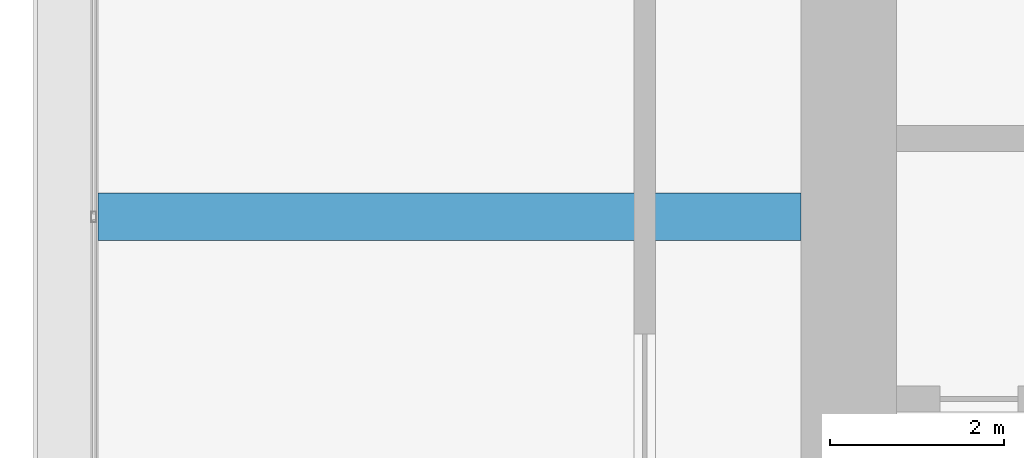
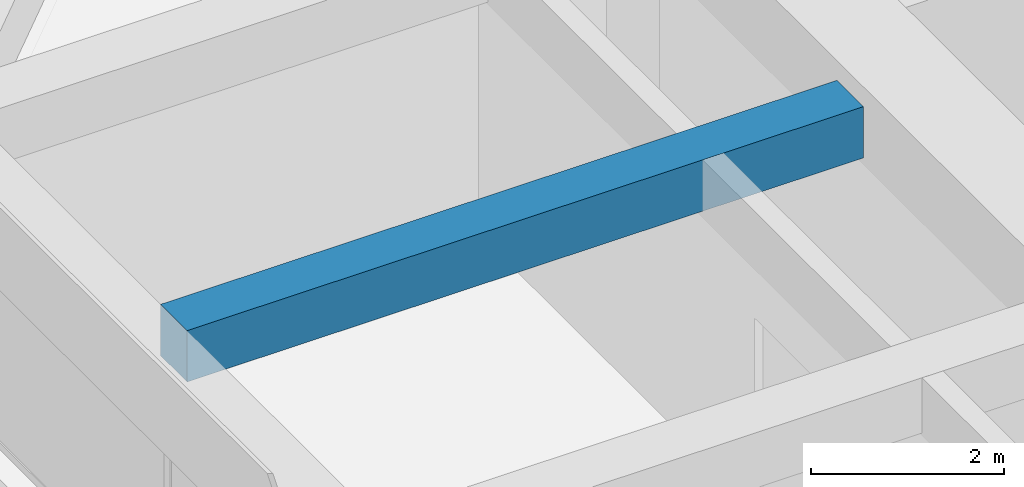
# One storey, part 17 of 44: 1 beam.
"""IFC4 building model written with IfcOpenShell, lengths in metres."""

from ifc_helpers import new_model, si_unit, direction, frame, origin, origin_2d, place, context, subcontext, project, spatial, rectangle, extrude, material, material_profile, profile_set, type_object, element, save


model = new_model("IFC4")

# Units and contexts
model_context = context("Model", 3, precision=1e-05, world=origin(), true_north=direction((0.0, 1.0)))
body_context = subcontext(model_context, "Body", "Model", "MODEL_VIEW")
ifc_project = project(units=[si_unit("LENGTHUNIT", "METRE"), si_unit("AREAUNIT", "SQUARE_METRE"), si_unit("VOLUMEUNIT", "CUBIC_METRE"), si_unit("PLANEANGLEUNIT", "RADIAN"), si_unit("MASSUNIT", "GRAM", prefix="KILO")], contexts=[model_context])

# Site, building, storey
site_placement = place(None, origin())
site = spatial("IfcSite", under=ifc_project, at=site_placement, CompositionType="ELEMENT")
building_placement = place(site_placement, origin())
building = spatial("IfcBuilding", under=site, at=building_placement, Name="Zorevar Civic Tower", CompositionType="ELEMENT")
storey_placement = place(building_placement, frame((0.0, 0.0, 271.39990234375)))
storey = spatial("IfcBuildingStorey", under=building, at=storey_placement, Name="L66", CompositionType="ELEMENT", Elevation=271.39990234375)

# Beam
ifc_material = material(Name="Concrete C50/60", Category="concrete")
ifc_material_profile = material_profile(ifc_material, rectangle(XDim=0.550048828125, YDim=0.64990234375, at=origin_2d()), Name="RC 550x650")
ifc_profile_set = profile_set([ifc_material_profile], Name="Concrete C50/60")
beam_type = type_object("IfcBeamType", Name="Beam RC 550x650", PredefinedType="BEAM", material=ifc_profile_set)
beam_placement = place(storey_placement, frame((9.35009765625, 31.5, 3.425048828125), z_axis=(1.0, 0.0, 0.0), x_axis=(0.0, 1.0, 0.0)))
element("IfcBeam", 1, at=beam_placement, inside=storey, type_object=beam_type, Name="Secondary beam L67", PredefinedType="BEAM", context=body_context, shape_type="SweptSolid", body=[
    extrude(rectangle(XDim=0.550048828125, YDim=0.64990234375, at=origin_2d()), origin(), (0.0, 0.0, 1.0), 8.099853515625),
])

save(model, "model.ifc")
